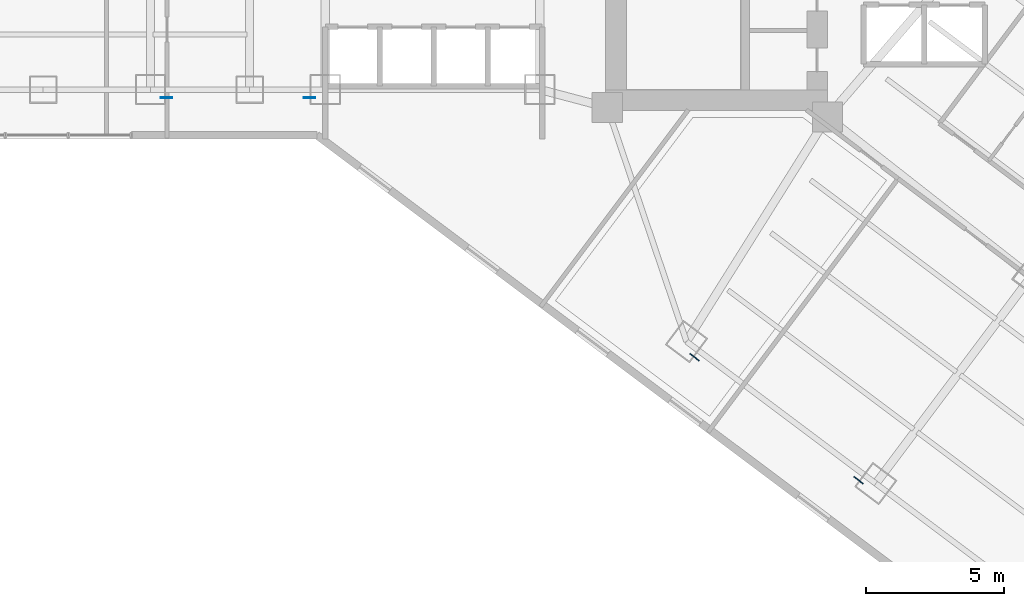
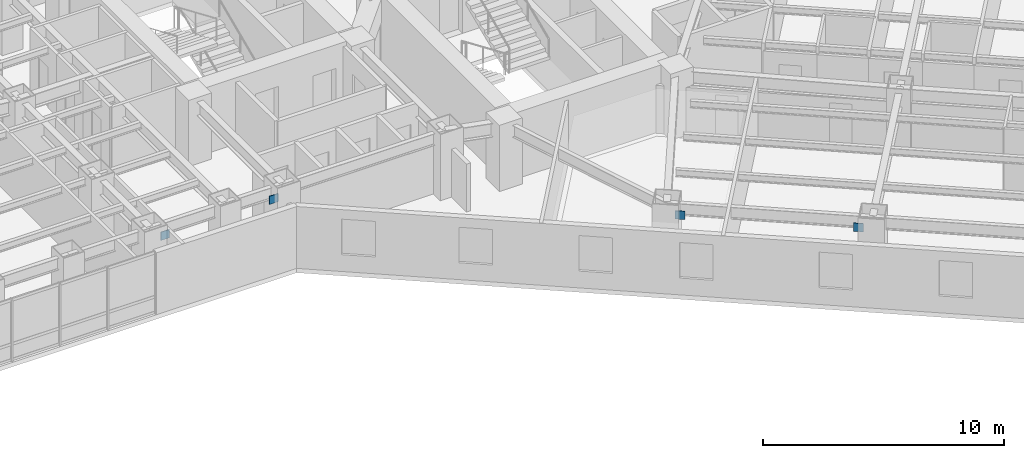
# One storey, part 22 of 38: 4 plates.
"""IFC4 building model written with IfcOpenShell, lengths in metres."""

from ifc_helpers import new_model, si_unit, direction, frame, origin, origin_2d, place, context, subcontext, project, spatial, rectangle, extrude, material, layer, layer_set, type_object, element, save


model = new_model("IFC4")

# Units and contexts
model_context = context("Model", 3, precision=1e-05, world=origin(), true_north=direction((0.0, 1.0)))
body_context = subcontext(model_context, "Body", "Model", "MODEL_VIEW")
ifc_project = project(units=[si_unit("LENGTHUNIT", "METRE"), si_unit("AREAUNIT", "SQUARE_METRE"), si_unit("VOLUMEUNIT", "CUBIC_METRE"), si_unit("PLANEANGLEUNIT", "RADIAN"), si_unit("MASSUNIT", "GRAM", prefix="KILO")], contexts=[model_context])

# Site, building, storey
site_placement = place(None, origin())
site = spatial("IfcSite", under=ifc_project, at=site_placement, CompositionType="ELEMENT")
building_placement = place(site_placement, origin())
building = spatial("IfcBuilding", under=site, at=building_placement, Name="Hatsunagi Terrace Concourse", CompositionType="ELEMENT")
storey_placement = place(building_placement, frame((0.0, 0.0, 60.050048828125)))
storey = spatial("IfcBuildingStorey", under=building, at=storey_placement, Name="L15", CompositionType="ELEMENT", Elevation=60.050048828125)

# Plates
ifc_material = material(Name="Steel SN490C", Category="steel")
ifc_layer = layer(ifc_material, 0.031982421875)
ifc_layer_set = layer_set([ifc_layer], Name="XBraceNodeCapPlate_32")
plate_type = type_object("IfcPlateType", Name="XBraceNodeCapPlate_32", PredefinedType="USERDEFINED", material=ifc_layer_set)
for number, where, z_axis, x_axis, name in (
    (1, (19.77490234375, 24.89990234375, 2.47998046875), (0.0, 0.0, 1.0), (1.0, 0.0, 0.0), "Cast-In Core and Node Embed Plate GP-02 EP-XB-L13-W1-AT"),
    (2, (24.97509765625, 24.89990234375, 2.47998046875), (0.0, 0.0, 1.0), (1.0, 0.0, 0.0), "Cast-In Core and Node Embed Plate GP-02 EP-XB-L13-W1-BT"),
    (3, (38.971923828125, 15.470947265625, 2.47998046875), (0.0, 0.0, 1.0), (0.799999996291, -0.600000004945, 0.0), "Cast-In Core and Node Embed Plate GP-02 EP-XB-L13-SE-AT"),
    (4, (44.931884765625, 11.0009765625, 2.47998046875), (0.0, 0.0, 1.0), (0.799999996291, -0.600000004945, 0.0), "Cast-In Core and Node Embed Plate GP-02 EP-XB-L13-SE-BT"),
):
    element("IfcPlate", number, at=place(storey_placement, frame(where, z_axis=z_axis, x_axis=x_axis)), inside=storey, type_object=plate_type, Name=name, ObjectType="GUSSET_PLATE", PredefinedType="USERDEFINED", context=body_context, shape_type="SweptSolid", body=[
        extrude(rectangle(XDim=0.419921875, YDim=0.031982421875, at=origin_2d()), origin(), (0.0, 0.0, 1.0), 0.419921875),
    ])

save(model, "model.ifc")
